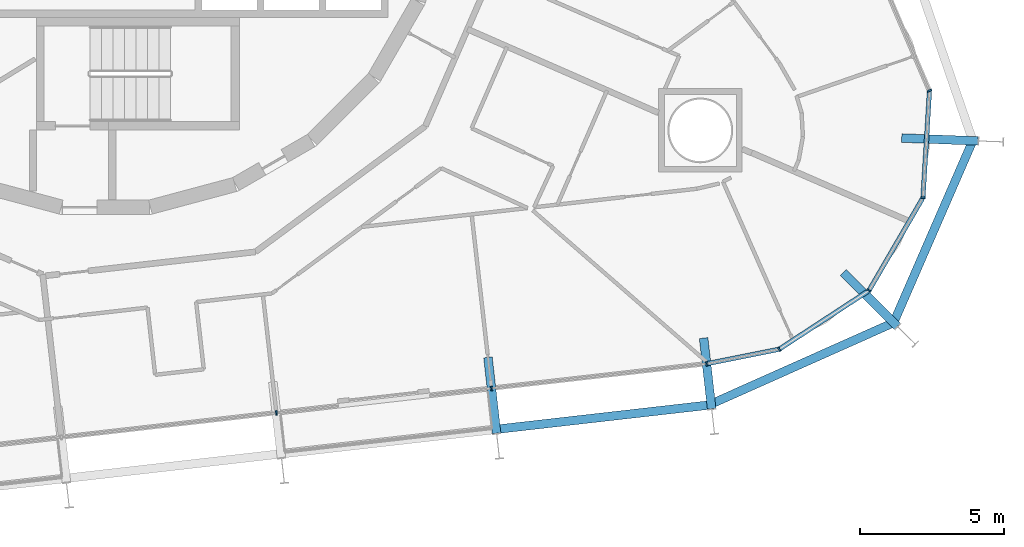
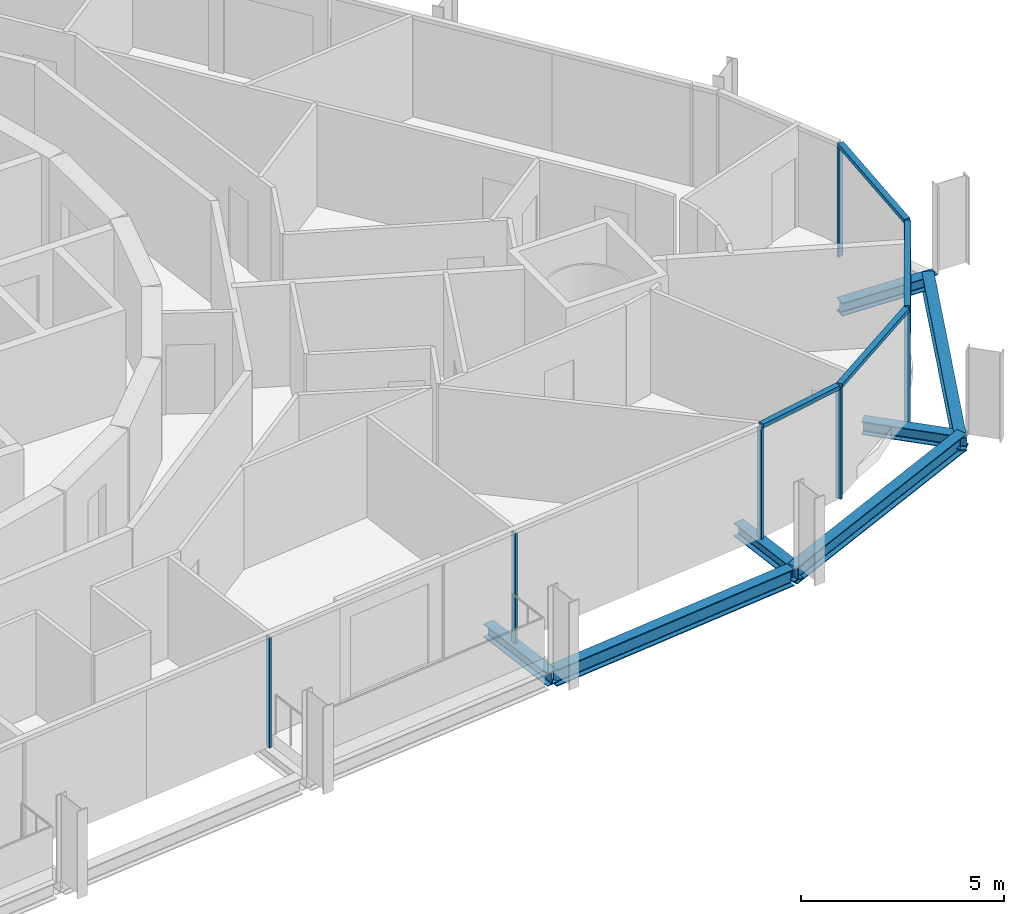
# One storey, part 7 of 23: 11 members, 7 beams, 2 elements without a shape of their own.
"""IFC4 building model written with IfcOpenShell, lengths in metres."""

import ifcopenshell
import ifcopenshell.guid

model = None  # the IFC model being written
_history = None  # IfcOwnerHistory: only IFC2X3 demands one
_inside = {}  # id of a spatial element -> (the spatial element, [elements in it])
_under = {}  # id of a project, library or spatial element -> (it, [spatial elements below it])
_declared = {}  # id of a project -> (the project, [libraries it declares])
_typed = {}  # id of a type object -> (the type object, [elements of that type])
_made_of = {}  # id of a material, layer set ... -> (it, [elements and type objects made of it])


def new_model(schema):
    """Start an empty IFC model of exactly this schema.

    Asked for "IFC4X3", IfcOpenShell would pick the latest addendum, in which some entities
    have other attributes; the version numbers below select the first issue.
    IFC2X3 requires an IfcOwnerHistory on every rooted entity: one is made here for all.
    """
    global model, _history
    if schema == "IFC4X3":
        model = ifcopenshell.file(schema_version=(4, 3, 0, 0))
    else:
        model = ifcopenshell.file(schema=schema)
    _inside.clear()
    _under.clear()
    _declared.clear()
    _typed.clear()
    _made_of.clear()
    _history = None
    if model.schema == "IFC2X3":
        org = make("IfcOrganization", Name="unknown")
        user = make(
            "IfcPersonAndOrganization",
            ThePerson=make("IfcPerson", FamilyName="unknown"),
            TheOrganization=org,
        )
        app = make(
            "IfcApplication",
            ApplicationDeveloper=org,
            Version="unknown",
            ApplicationFullName="unknown",
            ApplicationIdentifier="unknown",
        )
        _history = make(
            "IfcOwnerHistory",
            OwningUser=user,
            OwningApplication=app,
            ChangeAction="ADDED",
            CreationDate=0,
        )
    return model


def make(cls, **values):
    """One entity of the class cls with the attributes given. An attribute that is None is left unset."""
    return model.create_entity(
        cls, **{name: value for name, value in values.items() if value is not None}
    )


def rooted(cls, **values):
    """An entity with a GlobalId (a new one), such as an element, a storey or a relation."""
    return make(cls, GlobalId=ifcopenshell.guid.new(), OwnerHistory=_history, **values)


def si_unit(unit_type, name, prefix=None):
    """IfcSIUnit, for example si_unit("LENGTHUNIT", "METRE", prefix="MILLI")."""
    return make("IfcSIUnit", UnitType=unit_type, Prefix=prefix, Name=name)


def assignment(units):
    """IfcUnitAssignment: the units of a project."""
    return None if units is None else make("IfcUnitAssignment", Units=units)


def point(xyz):
    """IfcCartesianPoint."""
    return None if xyz is None else make("IfcCartesianPoint", Coordinates=xyz)


def direction(xyz):
    """IfcDirection."""
    return None if xyz is None else make("IfcDirection", DirectionRatios=xyz)


def frame(location, z_axis=None, x_axis=None):
    """IfcAxis2Placement3D, a coordinate frame: its origin and axes. An axis left out is left unset."""
    return make(
        "IfcAxis2Placement3D",
        Location=point(location),
        Axis=direction(z_axis),
        RefDirection=direction(x_axis),
    )


def frame_2d(location, x_axis=None):
    """IfcAxis2Placement2D, a coordinate frame in the plane: its origin and x axis."""
    return make(
        "IfcAxis2Placement2D", Location=point(location), RefDirection=direction(x_axis)
    )


def origin():
    """The frame at (0, 0, 0) with its axes left unset."""
    return frame((0.0, 0.0, 0.0))


def origin_2d():
    """The frame at (0, 0) in the plane with its x axis left unset."""
    return frame_2d((0.0, 0.0))


def place(relative_to, where):
    """IfcLocalPlacement: puts the frame where relative to a parent placement (None: the world)."""
    return make(
        "IfcLocalPlacement", PlacementRelTo=relative_to, RelativePlacement=where
    )


def context(
    kind, dimensions, precision=None, world=None, true_north=None, identifier=None
):
    """IfcGeometricRepresentationContext, for example the 3D "Model" context."""
    return make(
        "IfcGeometricRepresentationContext",
        ContextIdentifier=identifier,
        ContextType=kind,
        CoordinateSpaceDimension=dimensions,
        Precision=precision,
        WorldCoordinateSystem=world,
        TrueNorth=true_north,
    )


def subcontext(parent, identifier, kind, view, scale=None):
    """IfcGeometricRepresentationSubContext, for example "Body" below "Model"."""
    return make(
        "IfcGeometricRepresentationSubContext",
        ContextIdentifier=identifier,
        ContextType=kind,
        ParentContext=parent,
        TargetScale=scale,
        TargetView=view,
    )


def project(units=None, contexts=None):
    """IfcProject with its units and contexts."""
    return rooted(
        "IfcProject",
        Name="project",
        RepresentationContexts=contexts,
        UnitsInContext=assignment(units),
    )


def spatial(cls, under=None, at=None, **own):
    """A site, building, storey or space (cls), placed at a placement, below another one or the project."""
    s = rooted(cls, ObjectPlacement=at, **own)
    if under is not None:
        _under.setdefault(under.id(), (under, []))[1].append(s)
    return s


def profile(cls, at=None, kind="AREA", **sizes):
    """A parametric profile (cls). Its sizes go by their IFC names, for example OverallWidth=200.0."""
    return make(cls, ProfileType=kind, Position=at, **sizes)


def rectangle(**sizes):
    """IfcRectangleProfileDef."""
    return profile("IfcRectangleProfileDef", **sizes)


def i_section(**sizes):
    """IfcIShapeProfileDef."""
    return profile("IfcIShapeProfileDef", **sizes)


def extrude(swept, where, along, depth):
    """IfcExtrudedAreaSolid: the profile swept, set in the frame where, extruded along a direction by depth."""
    return make(
        "IfcExtrudedAreaSolid",
        SweptArea=swept,
        Position=where,
        ExtrudedDirection=direction(along),
        Depth=depth,
    )


def shape(context_of_items, identifier, shape_type, items):
    """IfcShapeRepresentation: the items that make up one representation, for example the "Body"."""
    return make(
        "IfcShapeRepresentation",
        ContextOfItems=context_of_items,
        RepresentationIdentifier=identifier,
        RepresentationType=shape_type,
        Items=items,
    )


def material(Name=None, Category=None):
    """IfcMaterial."""
    return make("IfcMaterial", Name=Name, Category=Category)


def layer(
    of_material, thickness, ventilated=None, Name=None, Category=None, Priority=None
):
    """IfcMaterialLayer: one layer of a wall or slab, of a material (None: an air gap)."""
    return make(
        "IfcMaterialLayer",
        Material=of_material,
        LayerThickness=thickness,
        IsVentilated=ventilated,
        Name=Name,
        Category=Category,
        Priority=Priority,
    )


def layer_set(layers, Name=None):
    """IfcMaterialLayerSet."""
    return make("IfcMaterialLayerSet", MaterialLayers=layers, LayerSetName=Name)


def material_profile(
    of_material, cross_section, Name=None, Category=None, Priority=None
):
    """IfcMaterialProfile: a cross section and its material."""
    return make(
        "IfcMaterialProfile",
        Name=Name,
        Material=of_material,
        Profile=cross_section,
        Priority=Priority,
        Category=Category,
    )


def profile_set(profiles, Name=None, composite=None):
    """IfcMaterialProfileSet."""
    return make(
        "IfcMaterialProfileSet",
        Name=Name,
        MaterialProfiles=profiles,
        CompositeProfile=composite,
    )


def made_of(thing, what):
    """Note that an element or type object is made of a material, layer set ...; save() writes the relation."""
    if what is not None:
        _made_of.setdefault(what.id(), (what, []))[1].append(thing)
    return thing


def type_object(cls, material=None, **own):
    """A type object (cls), such as IfcWallType, which elements share."""
    return made_of(rooted(cls, **own), material)


def element(
    cls,
    number,
    at=None,
    inside=None,
    cuts=None,
    type_object=None,
    material=None,
    context=None,
    identifier="Body",
    shape_type=None,
    held_by="IfcProductDefinitionShape",
    body=None,
    shapes=None,
    **own,
):
    """One element of the class cls, such as IfcWall. Its Tag is "e" and its number.

    at: its placement. inside: the storey or other place that contains it. cuts: it is an
    opening in that element (IfcRelVoidsElement). A single representation is given by context,
    identifier, shape_type and body (its items); several are given by shapes. held_by: the class
    of the entity that holds the representations. save() writes the other relations.
    """
    e = rooted(cls, Tag="e%d" % number, ObjectPlacement=at, **own)
    if body is not None:
        shapes = [shape(context, identifier, shape_type, body)]
    if shapes is not None:
        e.Representation = make(held_by, Representations=shapes)
    if inside is not None:
        _inside.setdefault(inside.id(), (inside, []))[1].append(e)
    if cuts is not None:
        rooted(
            "IfcRelVoidsElement", RelatingBuildingElement=cuts, RelatedOpeningElement=e
        )
    if type_object is not None:
        _typed.setdefault(type_object.id(), (type_object, []))[1].append(e)
    return made_of(e, material)


def aggregate(whole, parts):
    """IfcRelAggregates: a whole, such as a stair, and the parts it consists of."""
    return rooted("IfcRelAggregates", RelatingObject=whole, RelatedObjects=parts)


def save(model, path):
    """Write the relations noted so far, then the file.

    IfcRelAggregates (storeys below a building ...), IfcRelContainedInSpatialStructure (elements
    in a storey), IfcRelDefinesByType, IfcRelAssociatesMaterial and IfcRelDeclares: one each for
    every whole, place, type object, material and project.
    """
    for whole, parts in _under.values():
        aggregate(whole, parts)
    for where, things in _inside.values():
        rooted(
            "IfcRelContainedInSpatialStructure",
            RelatedElements=things,
            RelatingStructure=where,
        )
    for kind, things in _typed.values():
        rooted("IfcRelDefinesByType", RelatedObjects=things, RelatingType=kind)
    for what, things in _made_of.values():
        rooted("IfcRelAssociatesMaterial", RelatedObjects=things, RelatingMaterial=what)
    for by, libraries in _declared.values():
        rooted("IfcRelDeclares", RelatingContext=by, RelatedDefinitions=libraries)
    model.write(path)


model = new_model("IFC4")

# Units and contexts
model_context = context("Model", 3, precision=1e-05, world=origin(), true_north=direction((0.0, 1.0)))
body_context = subcontext(model_context, "Body", "Model", "MODEL_VIEW")
ifc_project = project(units=[si_unit("LENGTHUNIT", "METRE"), si_unit("AREAUNIT", "SQUARE_METRE"), si_unit("VOLUMEUNIT", "CUBIC_METRE"), si_unit("PLANEANGLEUNIT", "RADIAN"), si_unit("MASSUNIT", "GRAM", prefix="KILO")], contexts=[model_context])

# Site, building, storey
site_placement = place(None, origin())
site = spatial("IfcSite", under=ifc_project, at=site_placement, CompositionType="ELEMENT")
building_placement = place(site_placement, origin())
building = spatial("IfcBuilding", under=site, at=building_placement, Name="Spindle Arch Residences", CompositionType="ELEMENT")
storey_placement = place(building_placement, frame((0.0, 0.0, 104.699951171875)))
storey = spatial("IfcBuildingStorey", under=building, at=storey_placement, Name="L25", CompositionType="ELEMENT", Elevation=104.699951171875)

# Curtain wall, members
ifc_material_1 = material(Name="Aluminium bronze unitised frame with tinted glass", Category="aluminium")
ifc_layer_1 = layer(ifc_material_1, 0.159912109375)
ifc_layer_set_1 = layer_set([ifc_layer_1], Name="CW-D corner wall on the fillet arcs")
curtain_wall_type_1 = type_object("IfcCurtainWallType", Name="CW-D corner wall on the fillet arcs", PredefinedType="NOTDEFINED", material=ifc_layer_set_1)
curtain_wall_1_placement = place(storey_placement, origin())
curtain_wall_1 = element("IfcCurtainWall", 1, at=curtain_wall_1_placement, inside=storey, type_object=curtain_wall_type_1, Name="CW-D L25 run 1", PredefinedType="NOTDEFINED")
ifc_material_2 = material(Name="Aluminium bronze anodised mullion", Category="aluminium")
ifc_material_profile_1 = material_profile(ifc_material_2, rectangle(XDim=0.159912109375, YDim=0.06005859375, at=origin_2d()), Name="MU 60x160")
ifc_profile_set_1 = profile_set([ifc_material_profile_1], Name="Aluminium bronze anodised mullion")
member_type_1 = type_object("IfcMemberType", Name="Bronze mullion 60x160", PredefinedType="MULLION", material=ifc_profile_set_1)
member_1_placement = place(storey_placement, frame((20.865234375, -17.085205078125, -0.3798828125), z_axis=(0.0, 0.0, 1.0), x_axis=(-0.196863041416, 0.980430998553, 0.0)))
member_1 = element("IfcMember", 2, at=member_1_placement, type_object=member_type_1, Name="CW-D mullion 00", PredefinedType="MULLION", context=body_context, shape_type="SweptSolid", body=[
    extrude(rectangle(XDim=0.159912109375, YDim=0.06005859375, at=origin_2d()), origin(), (0.0, 0.0, 1.0), 3.309814453125),
])
member_2_placement = place(storey_placement, frame((23.38916015625, -16.57861328125, -0.3798828125), z_axis=(0.0, 0.0, 1.0), x_axis=(-0.547076323657, 0.83708272954, 0.0)))
member_2 = element("IfcMember", 3, at=member_2_placement, type_object=member_type_1, Name="CW-D mullion 01", PredefinedType="MULLION", context=body_context, shape_type="SweptSolid", body=[
    extrude(rectangle(XDim=0.159912109375, YDim=0.06005859375, at=origin_2d()), origin(), (0.0, 0.0, 1.0), 3.309814453125),
])
member_3_placement = place(storey_placement, frame((26.508544921875, -14.539794921875, -0.3798828125), z_axis=(0.0, 0.0, 1.0), x_axis=(-0.864567301682, 0.502517045345, 0.0)))
member_3 = element("IfcMember", 4, at=member_3_placement, type_object=member_type_1, Name="CW-D mullion 02", PredefinedType="MULLION", context=body_context, shape_type="SweptSolid", body=[
    extrude(rectangle(XDim=0.159912109375, YDim=0.06005859375, at=origin_2d()), origin(), (0.0, 0.0, 1.0), 3.309814453125),
])
member_4_placement = place(storey_placement, frame((28.38134765625, -11.317626953125, -0.3798828125), z_axis=(0.0, 0.0, 1.0), x_axis=(-0.998134798631, 0.06104853612, 0.0)))
member_4 = element("IfcMember", 5, at=member_4_placement, type_object=member_type_1, Name="CW-D mullion 03", PredefinedType="MULLION", context=body_context, shape_type="SweptSolid", body=[
    extrude(rectangle(XDim=0.159912109375, YDim=0.06005859375, at=origin_2d()), origin(), (0.0, 0.0, 1.0), 3.309814453125),
])
member_5_placement = place(storey_placement, frame((28.60888671875, -7.597900390625, -0.3798828125), z_axis=(0.0, 0.0, 1.0), x_axis=(-0.919364369298, -0.393407112882, 0.0)))
member_5 = element("IfcMember", 6, at=member_5_placement, type_object=member_type_1, Name="CW-D mullion 04", PredefinedType="MULLION", context=body_context, shape_type="SweptSolid", body=[
    extrude(rectangle(XDim=0.159912109375, YDim=0.06005859375, at=origin_2d()), origin(), (0.0, 0.0, 1.0), 3.309814453125),
])

ifc_material_3 = material(Name="Aluminium bronze unitised frame with tinted glass", Category="aluminium")
ifc_layer_2 = layer(ifc_material_3, 0.159912109375)
ifc_layer_set_2 = layer_set([ifc_layer_2], Name="CW-C typical residential unitised wall")
curtain_wall_type_2 = type_object("IfcCurtainWallType", Name="CW-C typical residential unitised wall", PredefinedType="NOTDEFINED", material=ifc_layer_set_2)
curtain_wall_2_placement = place(storey_placement, origin())
curtain_wall_2 = element("IfcCurtainWall", 7, at=curtain_wall_2_placement, inside=storey, type_object=curtain_wall_type_2, Name="CW-C L25 run 6", PredefinedType="NOTDEFINED")
member_6_placement = place(storey_placement, frame((5.92431640625, -18.78759765625, -0.3798828125), z_axis=(0.0, 0.0, 1.0), x_axis=(-0.113203213768, 0.993571855677, 0.0)))
member_6 = element("IfcMember", 8, at=member_6_placement, type_object=member_type_1, Name="CW-C mullion 00", PredefinedType="MULLION", context=body_context, shape_type="SweptSolid", body=[
    extrude(rectangle(XDim=0.159912109375, YDim=0.06005859375, at=origin_2d()), origin(), (0.0, 0.0, 1.0), 3.309814453125),
])
member_7_placement = place(storey_placement, frame((13.394775390625, -17.9365234375, -0.3798828125), z_axis=(0.0, 0.0, 1.0), x_axis=(-0.113203213768, 0.993571855677, 0.0)))
member_7 = element("IfcMember", 9, at=member_7_placement, type_object=member_type_1, Name="CW-C mullion 01", PredefinedType="MULLION", context=body_context, shape_type="SweptSolid", body=[
    extrude(rectangle(XDim=0.159912109375, YDim=0.06005859375, at=origin_2d()), origin(), (0.0, 0.0, 1.0), 3.309814453125),
])
aggregate(curtain_wall_2, [member_6, member_7])

# Member
ifc_material_4 = material(Name="Aluminium bronze anodised transom", Category="aluminium")
ifc_material_profile_2 = material_profile(ifc_material_4, rectangle(XDim=0.159912109375, YDim=0.1201171875, at=origin_2d()), Name="TR 120x160")
ifc_profile_set_2 = profile_set([ifc_material_profile_2], Name="Aluminium bronze anodised transom")
member_type_2 = type_object("IfcMemberType", Name="Bronze transom 120x160", PredefinedType="USERDEFINED", material=ifc_profile_set_2)
member_8_placement = place(storey_placement, frame((20.894775390625, -17.079345703125, 2.989990234375), z_axis=(0.980434738394, 0.196844415088, 0.0), x_axis=(-0.196844415088, 0.980434738394, 0.0)))
member_8 = element("IfcMember", 10, at=member_8_placement, type_object=member_type_2, Name="CW-D transom 00", ObjectType="TRANSOM", PredefinedType="USERDEFINED", context=body_context, shape_type="SweptSolid", body=[
    extrude(rectangle(XDim=0.159912109375, YDim=0.1201171875, at=origin_2d()), origin(), (0.0, 0.0, 1.0), 2.513916015625),
])

member_9_placement = place(storey_placement, frame((23.4140625, -16.562255859375, 2.989990234375), z_axis=(0.837085709997, 0.547071763226, 0.0), x_axis=(-0.547071763226, 0.837085709997, 0.0)))
member_9 = element("IfcMember", 11, at=member_9_placement, type_object=member_type_2, Name="CW-D transom 01", ObjectType="TRANSOM", PredefinedType="USERDEFINED", context=body_context, shape_type="SweptSolid", body=[
    extrude(rectangle(XDim=0.159912109375, YDim=0.1201171875, at=origin_2d()), origin(), (0.0, 0.0, 1.0), 3.6669921875),
])

member_10_placement = place(storey_placement, frame((26.523681640625, -14.513916015625, 2.989990234375), z_axis=(0.502549865263, 0.864548224753, 0.0), x_axis=(-0.864548224753, 0.502549865263, 0.0)))
member_10 = element("IfcMember", 12, at=member_10_placement, type_object=member_type_2, Name="CW-D transom 02", ObjectType="TRANSOM", PredefinedType="USERDEFINED", context=body_context, shape_type="SweptSolid", body=[
    extrude(rectangle(XDim=0.159912109375, YDim=0.1201171875, at=origin_2d()), origin(), (0.0, 0.0, 1.0), 3.666748046875),
])

member_11_placement = place(storey_placement, frame((28.38330078125, -11.287841796875, 2.989990234375), z_axis=(0.061055913319, 0.998134347395, 0.0), x_axis=(-0.998134347395, 0.061055913319, 0.0)))
member_11 = element("IfcMember", 13, at=member_11_placement, type_object=member_type_2, Name="CW-D transom 03", ObjectType="TRANSOM", PredefinedType="USERDEFINED", context=body_context, shape_type="SweptSolid", body=[
    extrude(rectangle(XDim=0.159912109375, YDim=0.1201171875, at=origin_2d()), origin(), (0.0, 0.0, 1.0), 3.666748046875),
])

aggregate(curtain_wall_1, [member_1, member_8, member_2, member_9, member_3, member_10, member_4, member_11, member_5])

# Beams
ifc_material_5 = material(Name="Steel S460ML, intumescent coating R 120", Category="steel")
ifc_material_profile_3 = material_profile(ifc_material_5, i_section(OverallWidth=0.300048828125, OverallDepth=0.5, WebThickness=0.014404296875, FlangeThickness=0.028076171875, FilletRadius=0.027099609375, at=origin_2d()), Name="HEB 500")
ifc_profile_set_3 = profile_set([ifc_material_profile_3], Name="Steel S460ML, intumescent coating R 120")
beam_type_1 = type_object("IfcBeamType", Name="Exoskeleton edge beam HEB 500", PredefinedType="BEAM", material=ifc_profile_set_3)
beam_1_placement = place(storey_placement, frame((13.686279296875, -19.345703125, -0.6298828125), z_axis=(0.993567208644, 0.113243992807, 0.0), x_axis=(-0.113243992807, 0.993567208644, 0.0)))
element("IfcBeam", 14, at=beam_1_placement, inside=storey, type_object=beam_type_1, Name="Exoskeleton edge beam 2", PredefinedType="BEAM", context=body_context, shape_type="SweptSolid", body=[
    extrude(i_section(OverallWidth=0.300048828125, OverallDepth=0.5, WebThickness=0.014404296875, FlangeThickness=0.028076171875, FilletRadius=0.027099609375, at=origin_2d()), origin(), (0.0, 0.0, 1.0), 7.2587890625),
])
beam_2_placement = place(storey_placement, frame((20.956787109375, -18.510986328125, -0.6298828125), z_axis=(0.913358271861, 0.407156809133, 0.0), x_axis=(-0.407156809133, 0.913358271861, 0.0)))
element("IfcBeam", 15, at=beam_2_placement, inside=storey, type_object=beam_type_1, Name="Exoskeleton edge beam 3", PredefinedType="BEAM", context=body_context, shape_type="SweptSolid", body=[
    extrude(i_section(OverallWidth=0.300048828125, OverallDepth=0.5, WebThickness=0.014404296875, FlangeThickness=0.028076171875, FilletRadius=0.027099609375, at=origin_2d()), origin(), (0.0, 0.0, 1.0), 7.09423828125),
])
beam_3_placement = place(storey_placement, frame((27.324462890625, -15.74462890625, -0.6298828125), z_axis=(0.398753826639, 0.917058005658, 0.0), x_axis=(-0.917058005658, 0.398753826639, 0.0)))
element("IfcBeam", 16, at=beam_3_placement, inside=storey, type_object=beam_type_1, Name="Exoskeleton edge beam 4", PredefinedType="BEAM", context=body_context, shape_type="SweptSolid", body=[
    extrude(i_section(OverallWidth=0.300048828125, OverallDepth=0.5, WebThickness=0.014404296875, FlangeThickness=0.028076171875, FilletRadius=0.027099609375, at=origin_2d()), origin(), (0.0, 0.0, 1.0), 7.086181640625),
])
ifc_material_6 = material(Name="Steel S460ML, intumescent coating R 120", Category="steel")
ifc_material_profile_4 = material_profile(ifc_material_6, i_section(OverallWidth=0.300048828125, OverallDepth=0.389892578125, WebThickness=0.010986328125, FlangeThickness=0.01904296875, FilletRadius=0.027099609375, at=origin_2d()), Name="HEA 400")
ifc_profile_set_4 = profile_set([ifc_material_profile_4], Name="Steel S460ML, intumescent coating R 120")
beam_type_2 = type_object("IfcBeamType", Name="Floor outrigger HEA 400", PredefinedType="BEAM", material=ifc_profile_set_4)
beam_4_placement = place(storey_placement, frame((13.572509765625, -19.496337890625, -0.574951171875), z_axis=(-0.113130863078, 0.993580096328, 0.0), x_axis=(-0.993580096328, -0.113130863078, 0.0)))
element("IfcBeam", 17, at=beam_4_placement, inside=storey, type_object=beam_type_2, Name="Floor outrigger 2", PredefinedType="BEAM", context=body_context, shape_type="SweptSolid", body=[
    extrude(i_section(OverallWidth=0.300048828125, OverallDepth=0.389892578125, WebThickness=0.010986328125, FlangeThickness=0.01904296875, FilletRadius=0.027099609375, at=origin_2d()), origin(), (0.0, 0.0, 1.0), 2.650146484375),
])
beam_5_placement = place(storey_placement, frame((21.043212890625, -18.645263671875, -0.574951171875), z_axis=(-0.113326452293, 0.993557806678, 0.0), x_axis=(-0.993557806678, -0.113326452293, 0.0)))
element("IfcBeam", 18, at=beam_5_placement, inside=storey, type_object=beam_type_2, Name="Floor outrigger 3", PredefinedType="BEAM", context=body_context, shape_type="SweptSolid", body=[
    extrude(i_section(OverallWidth=0.300048828125, OverallDepth=0.389892578125, WebThickness=0.010986328125, FlangeThickness=0.01904296875, FilletRadius=0.027099609375, at=origin_2d()), origin(), (0.0, 0.0, 1.0), 2.470947265625),
])
beam_6_placement = place(storey_placement, frame((27.49169921875, -15.78076171875, -0.574951171875), z_axis=(-0.709222613683, 0.704984598584, 0.0), x_axis=(-0.704984598584, -0.709222613683, 0.0)))
element("IfcBeam", 19, at=beam_6_placement, inside=storey, type_object=beam_type_2, Name="Floor outrigger 4", PredefinedType="BEAM", context=body_context, shape_type="SweptSolid", body=[
    extrude(i_section(OverallWidth=0.300048828125, OverallDepth=0.389892578125, WebThickness=0.010986328125, FlangeThickness=0.01904296875, FilletRadius=0.027099609375, at=origin_2d()), origin(), (0.0, 0.0, 1.0), 2.64990234375),
])
beam_7_placement = place(storey_placement, frame((30.290771484375, -9.34375, -0.574951171875), z_axis=(-0.999282920946, 0.037863490413, 0.0), x_axis=(-0.037863490413, -0.999282920946, 0.0)))
element("IfcBeam", 20, at=beam_7_placement, inside=storey, type_object=beam_type_2, Name="Floor outrigger 5", PredefinedType="BEAM", context=body_context, shape_type="SweptSolid", body=[
    extrude(i_section(OverallWidth=0.300048828125, OverallDepth=0.389892578125, WebThickness=0.010986328125, FlangeThickness=0.01904296875, FilletRadius=0.027099609375, at=origin_2d()), origin(), (0.0, 0.0, 1.0), 2.650146484375),
])

save(model, "model.ifc")
